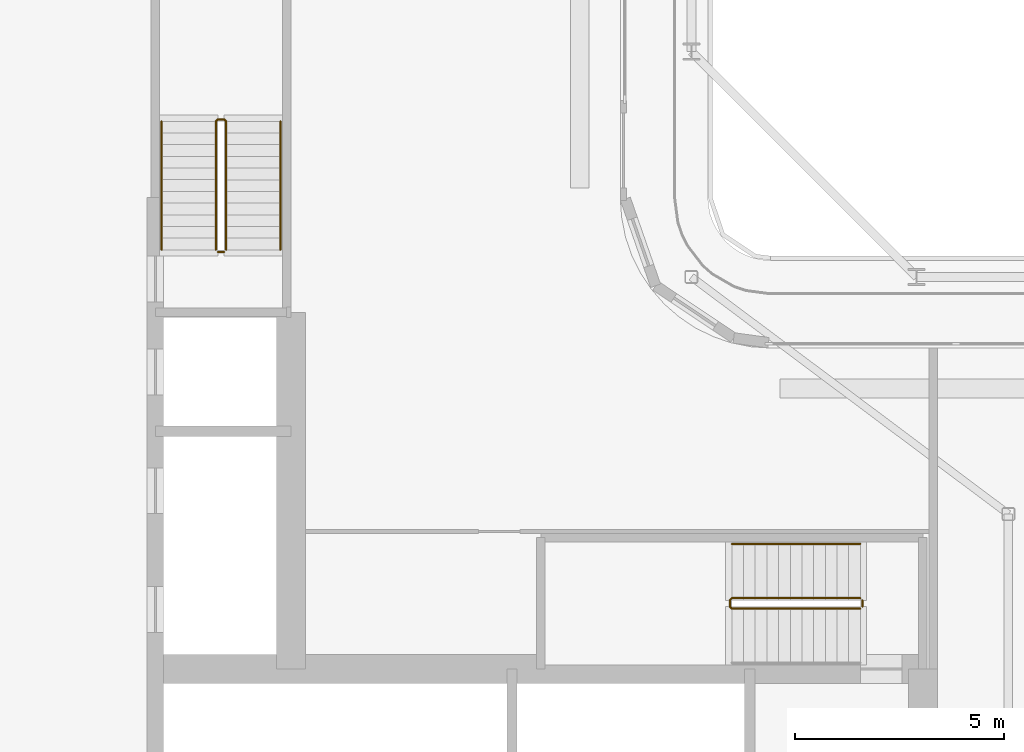
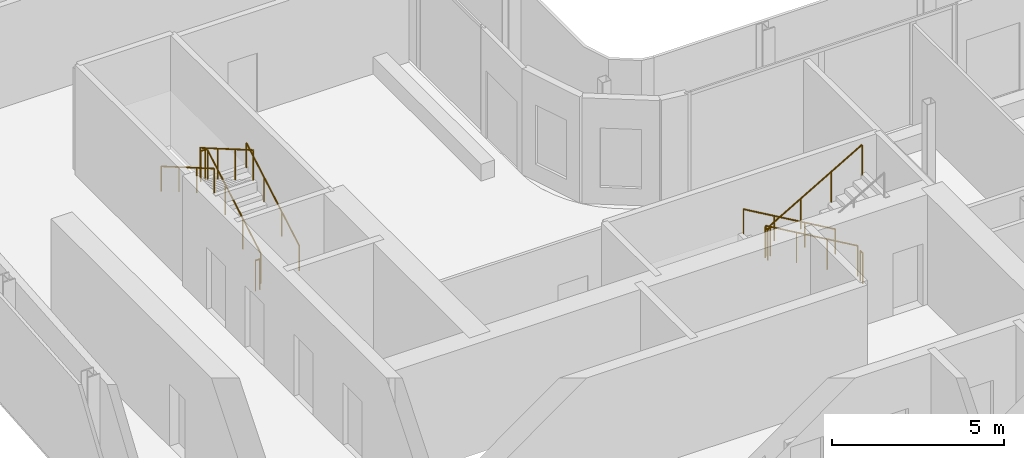
# One storey, part 16 of 21: 7 railings.
"""IFC4 building model written with IfcOpenShell, lengths in metres."""

from ifc_helpers import new_model, si_unit, direction, frame, origin, origin_2d, place, context, subcontext, project, spatial, circle, extrude, material, type_object, element, save


model = new_model("IFC4")

# Units and contexts
model_context = context("Model", 3, precision=1e-05, world=origin(), true_north=direction((0.0, 1.0)))
body_context = subcontext(model_context, "Body", "Model", "MODEL_VIEW")
ifc_project = project(units=[si_unit("LENGTHUNIT", "METRE"), si_unit("AREAUNIT", "SQUARE_METRE"), si_unit("VOLUMEUNIT", "CUBIC_METRE"), si_unit("PLANEANGLEUNIT", "RADIAN"), si_unit("MASSUNIT", "GRAM", prefix="KILO")], contexts=[model_context])

# Site, building, storey
site_placement = place(None, origin())
site = spatial("IfcSite", under=ifc_project, at=site_placement, CompositionType="ELEMENT")
building_placement = place(site_placement, origin())
building = spatial("IfcBuilding", under=site, at=building_placement, Name="Kheshtan School and Residences Tower", CompositionType="ELEMENT")
storey_placement = place(building_placement, frame((0.0, 0.0, 224.0)))
storey = spatial("IfcBuildingStorey", under=building, at=storey_placement, Name="L52", CompositionType="ELEMENT", Elevation=224.0)

# Railings
ifc_material_1 = material(Name="Stainless steel balustrade", Category="steel")
railing_type_1 = type_object("IfcRailingType", Name="Stair guard 1100", PredefinedType="GUARDRAIL", material=ifc_material_1)
railing_1_placement = place(storey_placement, frame((51.64990234375, 37.89990234375, 0.16259765625)))
element("IfcRailing", 1, at=railing_1_placement, inside=storey, type_object=railing_type_1, Name="L52 ST1 stair guard 1", PredefinedType="GUARDRAIL", context=body_context, shape_type="SweptSolid", body=[
    extrude(circle(Radius=0.02392578125, at=origin_2d()), frame((0.0, 0.0, 1.076171875), z_axis=(-0.864903211148, 0.0, 0.501938676878), x_axis=(0.0, -1.0, 0.0)), (0.0, 0.0, 1.0), 3.560791015625),
    extrude(circle(Radius=0.02392578125, at=origin_2d()), frame((-3.079833984375, 0.0, 2.86328125), z_axis=(-0.708833529934, -0.705375805398, 0.0), x_axis=(0.705375805398, -0.708833529934, 0.0)), (0.0, 0.0, 1.0), 0.070556640625),
    extrude(circle(Radius=0.02392578125, at=origin_2d()), frame((-3.1298828125, -0.0498046875, 2.86328125), z_axis=(0.0, -1.0, 0.0), x_axis=(1.0, 0.0, 0.0)), (0.0, 0.0, 1.0), 0.150146484375),
    extrude(circle(Radius=0.02392578125, at=origin_2d()), frame((-3.1298828125, -0.199951171875, 2.86328125), z_axis=(0.282227285176, -0.282227285176, 0.916894497205), x_axis=(0.707106781187, 0.707106781187, 0.0)), (0.0, 0.0, 1.0), 0.17724609375),
    extrude(circle(Radius=0.02392578125, at=origin_2d()), frame((-3.079833984375, -0.25, 3.02587890625), z_axis=(0.864903211148, 0.0, 0.501938676878), x_axis=(0.0, 1.0, 0.0)), (0.0, 0.0, 1.0), 3.560791015625),
    extrude(circle(Radius=0.02099609375, at=origin_2d()), origin(), (0.0, 0.0, 1.0), 1.052001953125),
    extrude(circle(Radius=0.02099609375, at=origin_2d()), frame((-1.026611328125, 0.0, 0.595703125)), (0.0, 0.0, 1.0), 1.052001953125),
    extrude(circle(Radius=0.02099609375, at=origin_2d()), frame((-2.05322265625, 0.0, 1.191650390625)), (0.0, 0.0, 1.0), 1.052001953125),
    extrude(circle(Radius=0.02099609375, at=origin_2d()), frame((-3.079833984375, 0.0, 1.787353515625)), (0.0, 0.0, 1.0), 1.052001953125),
    extrude(circle(Radius=0.02099609375, at=origin_2d()), frame((-3.1298828125, -0.0498046875, 1.787353515625)), (0.0, 0.0, 1.0), 1.052001953125),
    extrude(circle(Radius=0.02099609375, at=origin_2d()), frame((-3.1298828125, -0.199951171875, 1.787353515625)), (0.0, 0.0, 1.0), 1.052001953125),
    extrude(circle(Radius=0.02099609375, at=origin_2d()), frame((-3.079833984375, -0.25, 1.949951171875)), (0.0, 0.0, 1.0), 1.052001953125),
    extrude(circle(Radius=0.02099609375, at=origin_2d()), frame((-2.05322265625, -0.25, 2.545654296875)), (0.0, 0.0, 1.0), 1.052001953125),
    extrude(circle(Radius=0.02099609375, at=origin_2d()), frame((-1.026611328125, -0.25, 3.1416015625)), (0.0, 0.0, 1.0), 1.052001953125),
    extrude(circle(Radius=0.02099609375, at=origin_2d()), frame((0.0, -0.25, 3.7373046875)), (0.0, 0.0, 1.0), 1.052001953125),
])
railing_2_placement = place(storey_placement, frame((51.699951171875, 37.85009765625, 0.0)))
element("IfcRailing", 2, at=railing_2_placement, inside=storey, type_object=railing_type_1, Name="L52 ST1 stair guard 2", PredefinedType="GUARDRAIL", context=body_context, shape_type="SweptSolid", body=[
    extrude(circle(Radius=0.02392578125, at=origin_2d()), frame((0.0, 0.0, 1.076171875), z_axis=(0.0, -1.0, 0.0), x_axis=(1.0, 0.0, 0.0)), (0.0, 0.0, 1.0), 0.150146484375),
    extrude(circle(Radius=0.02099609375, at=origin_2d()), origin(), (0.0, 0.0, 1.0), 1.052001953125),
    extrude(circle(Radius=0.02099609375, at=origin_2d()), frame((0.0, -0.150146484375, 0.0)), (0.0, 0.0, 1.0), 1.052001953125),
])
railing_3_placement = place(storey_placement, frame((36.449951171875, 46.25, 0.16259765625)))
element("IfcRailing", 3, at=railing_3_placement, inside=storey, type_object=railing_type_1, Name="L52 ST2 stair guard 1", PredefinedType="GUARDRAIL", context=body_context, shape_type="SweptSolid", body=[
    extrude(circle(Radius=0.02392578125, at=origin_2d()), frame((0.0, 0.0, 1.076171875), z_axis=(0.0, 0.864920483161, 0.501908913857), x_axis=(-1.0, 0.0, 0.0)), (0.0, 0.0, 1.0), 3.56103515625),
    extrude(circle(Radius=0.02392578125, at=origin_2d()), frame((0.0, 3.080078125, 2.86328125), z_axis=(-0.708833529934, 0.705375805398, 0.0), x_axis=(-0.705375805398, -0.708833529934, 0.0)), (0.0, 0.0, 1.0), 0.070556640625),
    extrude(circle(Radius=0.02392578125, at=origin_2d()), frame((-0.050048828125, 3.1298828125, 2.86328125), z_axis=(-1.0, 0.0, 0.0), x_axis=(0.0, -1.0, 0.0)), (0.0, 0.0, 1.0), 0.14990234375),
    extrude(circle(Radius=0.02392578125, at=origin_2d()), frame((-0.199951171875, 3.1298828125, 2.86328125), z_axis=(-0.282336740067, -0.280959487676, 0.917250092119), x_axis=(0.705375805398, -0.708833529934, 0.0)), (0.0, 0.0, 1.0), 0.17724609375),
    extrude(circle(Radius=0.02392578125, at=origin_2d()), frame((-0.25, 3.080078125, 3.02587890625), z_axis=(0.0, -0.864920483161, 0.501908913857), x_axis=(1.0, 0.0, 0.0)), (0.0, 0.0, 1.0), 3.56103515625),
    extrude(circle(Radius=0.02099609375, at=origin_2d()), origin(), (0.0, 0.0, 1.0), 1.052001953125),
    extrude(circle(Radius=0.02099609375, at=origin_2d()), frame((0.0, 1.026611328125, 0.595703125)), (0.0, 0.0, 1.0), 1.052001953125),
    extrude(circle(Radius=0.02099609375, at=origin_2d()), frame((0.0, 2.053466796875, 1.191650390625)), (0.0, 0.0, 1.0), 1.052001953125),
    extrude(circle(Radius=0.02099609375, at=origin_2d()), frame((0.0, 3.080078125, 1.787353515625)), (0.0, 0.0, 1.0), 1.052001953125),
    extrude(circle(Radius=0.02099609375, at=origin_2d()), frame((-0.050048828125, 3.1298828125, 1.787353515625)), (0.0, 0.0, 1.0), 1.052001953125),
    extrude(circle(Radius=0.02099609375, at=origin_2d()), frame((-0.199951171875, 3.1298828125, 1.787353515625)), (0.0, 0.0, 1.0), 1.052001953125),
    extrude(circle(Radius=0.02099609375, at=origin_2d()), frame((-0.25, 3.080078125, 1.949951171875)), (0.0, 0.0, 1.0), 1.052001953125),
    extrude(circle(Radius=0.02099609375, at=origin_2d()), frame((-0.25, 2.053466796875, 2.545654296875)), (0.0, 0.0, 1.0), 1.052001953125),
    extrude(circle(Radius=0.02099609375, at=origin_2d()), frame((-0.25, 1.026611328125, 3.1416015625)), (0.0, 0.0, 1.0), 1.052001953125),
    extrude(circle(Radius=0.02099609375, at=origin_2d()), frame((-0.25, 0.0, 3.7373046875)), (0.0, 0.0, 1.0), 1.052001953125),
])
railing_4_placement = place(storey_placement, frame((36.39990234375, 46.199951171875, 0.0)))
element("IfcRailing", 4, at=railing_4_placement, inside=storey, type_object=railing_type_1, Name="L52 ST2 stair guard 2", PredefinedType="GUARDRAIL", context=body_context, shape_type="SweptSolid", body=[
    extrude(circle(Radius=0.02392578125, at=origin_2d()), frame((0.0, 0.0, 1.076171875), z_axis=(-1.0, 0.0, 0.0), x_axis=(0.0, -1.0, 0.0)), (0.0, 0.0, 1.0), 0.14990234375),
    extrude(circle(Radius=0.02099609375, at=origin_2d()), origin(), (0.0, 0.0, 1.0), 1.052001953125),
    extrude(circle(Radius=0.02099609375, at=origin_2d()), frame((-0.14990234375, 0.0, 0.0)), (0.0, 0.0, 1.0), 1.052001953125),
])
ifc_material_2 = material(Name="Stainless steel handrail", Category="steel")
railing_type_2 = type_object("IfcRailingType", Name="Stair handrail 900", PredefinedType="HANDRAIL", material=ifc_material_2)
railing_5_placement = place(storey_placement, frame((51.64990234375, 39.199951171875, 0.16259765625)))
element("IfcRailing", 5, at=railing_5_placement, inside=storey, type_object=railing_type_2, Name="L52 ST1 stair handrail 1", PredefinedType="HANDRAIL", context=body_context, shape_type="SweptSolid", body=[
    extrude(circle(Radius=0.02392578125, at=origin_2d()), frame((0.0, 0.0, 0.8759765625), z_axis=(-0.864903211148, 0.0, 0.501938676878), x_axis=(0.0, -1.0, 0.0)), (0.0, 0.0, 1.0), 3.560791015625),
    extrude(circle(Radius=0.02099609375, at=origin_2d()), origin(), (0.0, 0.0, 1.0), 0.851806640625),
    extrude(circle(Radius=0.02099609375, at=origin_2d()), frame((-1.026611328125, 0.0, 0.595703125)), (0.0, 0.0, 1.0), 0.851806640625),
    extrude(circle(Radius=0.02099609375, at=origin_2d()), frame((-2.05322265625, 0.0, 1.191650390625)), (0.0, 0.0, 1.0), 0.851806640625),
    extrude(circle(Radius=0.02099609375, at=origin_2d()), frame((-3.079833984375, 0.0, 1.787353515625)), (0.0, 0.0, 1.0), 0.851806640625),
])
railing_6_placement = place(storey_placement, frame((37.75, 46.25, 0.16259765625)))
element("IfcRailing", 6, at=railing_6_placement, inside=storey, type_object=railing_type_2, Name="L52 ST2 stair handrail 1", PredefinedType="HANDRAIL", context=body_context, shape_type="SweptSolid", body=[
    extrude(circle(Radius=0.02392578125, at=origin_2d()), frame((0.0, 0.0, 0.8759765625), z_axis=(0.0, 0.864920483161, 0.501908913857), x_axis=(-1.0, 0.0, 0.0)), (0.0, 0.0, 1.0), 3.56103515625),
    extrude(circle(Radius=0.02099609375, at=origin_2d()), origin(), (0.0, 0.0, 1.0), 0.851806640625),
    extrude(circle(Radius=0.02099609375, at=origin_2d()), frame((0.0, 1.026611328125, 0.595703125)), (0.0, 0.0, 1.0), 0.851806640625),
    extrude(circle(Radius=0.02099609375, at=origin_2d()), frame((0.0, 2.053466796875, 1.191650390625)), (0.0, 0.0, 1.0), 0.851806640625),
    extrude(circle(Radius=0.02099609375, at=origin_2d()), frame((0.0, 3.080078125, 1.787353515625)), (0.0, 0.0, 1.0), 0.851806640625),
])
railing_7_placement = place(storey_placement, frame((34.89990234375, 49.330078125, 2.112548828125)))
element("IfcRailing", 7, at=railing_7_placement, inside=storey, type_object=railing_type_2, Name="L52 ST2 stair handrail 2", PredefinedType="HANDRAIL", context=body_context, shape_type="SweptSolid", body=[
    extrude(circle(Radius=0.02392578125, at=origin_2d()), frame((0.0, 0.0, 0.8759765625), z_axis=(0.0, -0.864920483161, 0.501908913857), x_axis=(1.0, 0.0, 0.0)), (0.0, 0.0, 1.0), 3.56103515625),
    extrude(circle(Radius=0.02099609375, at=origin_2d()), origin(), (0.0, 0.0, 1.0), 0.851806640625),
    extrude(circle(Radius=0.02099609375, at=origin_2d()), frame((0.0, -1.026611328125, 0.595703125)), (0.0, 0.0, 1.0), 0.851806640625),
    extrude(circle(Radius=0.02099609375, at=origin_2d()), frame((0.0, -2.053466796875, 1.191650390625)), (0.0, 0.0, 1.0), 0.851806640625),
    extrude(circle(Radius=0.02099609375, at=origin_2d()), frame((0.0, -3.080078125, 1.787353515625)), (0.0, 0.0, 1.0), 0.851806640625),
])

save(model, "model.ifc")
